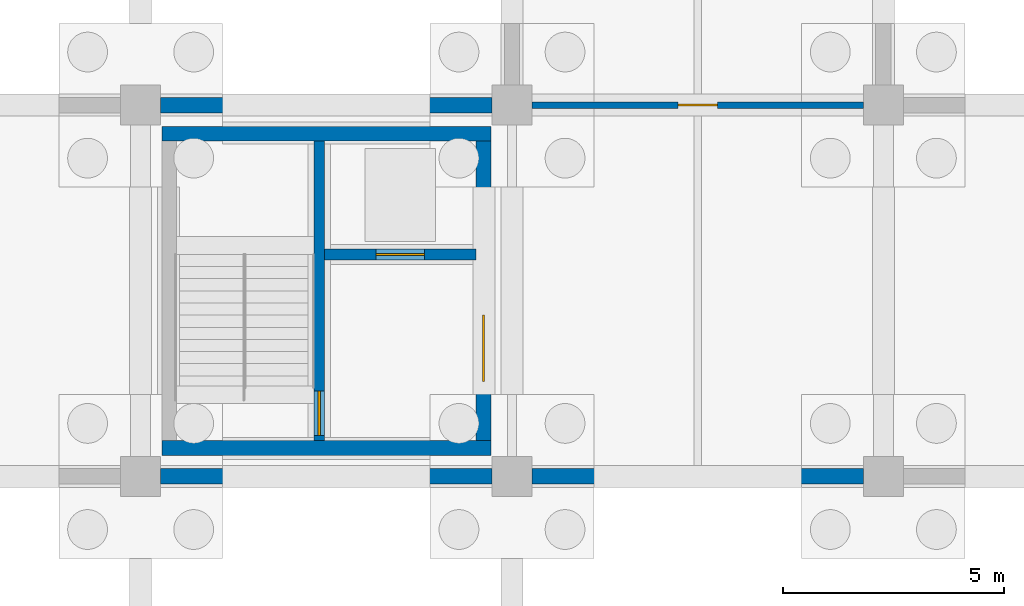
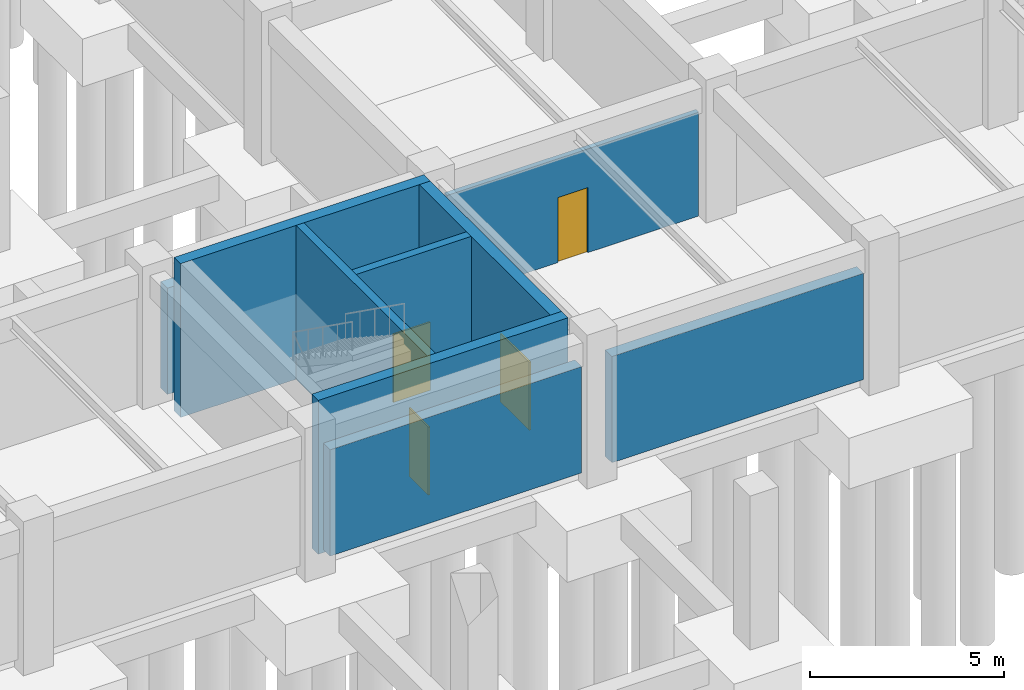
# One storey, part 20 of 29: 9 walls, 4 doors, 4 openings.
"""IFC4 building model written with IfcOpenShell, lengths in metres."""

from ifc_helpers import new_model, si_unit, direction, frame, frame_2d, origin, place, context, subcontext, project, spatial, rectangle, extrude, material, layer, layer_set, type_object, element, fill, save


model = new_model("IFC4")

# Units and contexts
model_context = context("Model", 3, precision=1e-05, world=origin(), true_north=direction((0.0, 1.0)))
body_context = subcontext(model_context, "Body", "Model", "MODEL_VIEW")
ifc_project = project(units=[si_unit("LENGTHUNIT", "METRE"), si_unit("AREAUNIT", "SQUARE_METRE"), si_unit("VOLUMEUNIT", "CUBIC_METRE"), si_unit("PLANEANGLEUNIT", "RADIAN"), si_unit("MASSUNIT", "GRAM", prefix="KILO")], contexts=[model_context])

# Site, building, storey
site_placement = place(None, origin())
site = spatial("IfcSite", under=ifc_project, at=site_placement, CompositionType="ELEMENT")
building_placement = place(site_placement, origin())
building = spatial("IfcBuilding", under=site, at=building_placement, Name="Porcellanite Civic Hall", CompositionType="ELEMENT")
storey_placement = place(building_placement, frame((0.0, 0.0, -4.5)))
storey = spatial("IfcBuildingStorey", under=building, at=storey_placement, Name="B1", CompositionType="ELEMENT", Elevation=-4.5)

# Wall, opening, door
ifc_material_1 = material(Name="Concrete N40 (40 MPa)", Category="concrete")
ifc_layer_1 = layer(ifc_material_1, 0.239990234375)
ifc_layer_set_1 = layer_set([ifc_layer_1], Name="Concrete N40 (40 MPa)")
wall_type_1 = type_object("IfcWallType", Name="CW-SH240", PredefinedType="SHEAR", material=ifc_layer_set_1)
wall_1_placement = place(storey_placement, frame((113.239990234375, 51.2099609375, -0.35009765625), z_axis=(0.0, 0.0, 1.0), x_axis=(0.0, 1.0, 0.0)))
wall_1 = element("IfcWall", 1, at=wall_1_placement, inside=storey, type_object=wall_type_1, Name="Core divider C6 B1", PredefinedType="SHEAR", context=body_context, shape_type="SweptSolid", body=[
    extrude(rectangle(XDim=6.780029296875, YDim=0.239990234375, at=frame_2d((3.39013671875, 0.0))), origin(), (0.0, 0.0, 1.0), 4.85009765625),
])
opening_1_placement = place(wall_1_placement, frame((0.1201171875, 0.0, 0.35009765625)))
opening_1 = element("IfcOpeningElement", 2, at=opening_1_placement, cuts=wall_1, Name="Opening FD-C6-B1-ST", PredefinedType="OPENING", context=body_context, shape_type="SweptSolid", body=[
    extrude(rectangle(XDim=1.0, YDim=2.14990234375, at=frame_2d((0.5, 1.074951171875))), frame((0.0, 0.1201171875, 0.0), z_axis=(0.0, -1.0, 0.0), x_axis=(1.0, 0.0, 0.0)), (0.0, 0.0, 1.0), 0.239990234375),
])
ifc_material_2 = material(Name="Fire-rated solid-core hardwood timber", Category="wood")
door_type_1 = type_object("IfcDoorType", Name="DR-FD100", OperationType="NOTDEFINED", PredefinedType="DOOR", material=ifc_material_2)
door_1_placement = place(opening_1_placement, origin())
door_1 = element("IfcDoor", 3, at=door_1_placement, inside=storey, type_object=door_type_1, Name="Fire stair door FD-C6-B1-ST", OperationType="SINGLE_SWING_LEFT", OverallHeight=2.14990234375, OverallWidth=1.0, PredefinedType="DOOR", context=body_context, shape_type="SweptSolid", body=[
    extrude(rectangle(XDim=1.0, YDim=2.14990234375, at=frame_2d((0.5, 1.074951171875))), frame((0.0, 0.02490234375, 0.0), z_axis=(0.0, -1.0, 0.0), x_axis=(1.0, 0.0, 0.0)), (0.0, 0.0, 1.0), 0.050048828125),
])
fill(opening_1, door_1)

wall_2_placement = place(storey_placement, frame((113.360107421875, 55.419921875, -0.35009765625), z_axis=(0.0, 0.0, 1.0), x_axis=(1.0, 0.0, 0.0)))
wall_2 = element("IfcWall", 4, at=wall_2_placement, inside=storey, type_object=wall_type_1, Name="Lift shaft wall C6 B1", PredefinedType="SHEAR", context=body_context, shape_type="SweptSolid", body=[
    extrude(rectangle(XDim=3.429931640625, YDim=0.239990234375, at=frame_2d((1.71484375, 0.0))), origin(), (0.0, 0.0, 1.0), 4.85009765625),
])
opening_2_placement = place(wall_2_placement, frame((1.1650390625, 0.0, 0.35009765625)))
opening_2 = element("IfcOpeningElement", 5, at=opening_2_placement, cuts=wall_2, Name="Opening LD-06", PredefinedType="OPENING", context=body_context, shape_type="SweptSolid", body=[
    extrude(rectangle(XDim=1.10009765625, YDim=2.14990234375, at=frame_2d((0.550048828125, 1.074951171875))), frame((0.0, 0.1201171875, 0.0), z_axis=(0.0, -1.0, 0.0), x_axis=(1.0, 0.0, 0.0)), (0.0, 0.0, 1.0), 0.239990234375),
])
ifc_material_3 = material(Name="Brushed stainless steel 316", Category="steel")
door_type_2 = type_object("IfcDoorType", Name="DR-LD110", OperationType="DOUBLE_DOOR_SLIDING", PredefinedType="DOOR", material=ifc_material_3)
door_2_placement = place(opening_2_placement, origin())
door_2 = element("IfcDoor", 6, at=door_2_placement, inside=storey, type_object=door_type_2, Name="Lift landing sliding door LD-06 B1", OperationType="DOUBLE_DOOR_SLIDING", OverallHeight=2.14990234375, OverallWidth=1.10009765625, PredefinedType="DOOR", context=body_context, shape_type="SweptSolid", body=[
    extrude(rectangle(XDim=1.10009765625, YDim=2.14990234375, at=frame_2d((0.550048828125, 1.074951171875))), frame((0.0, 0.02490234375, 0.0), z_axis=(0.0, -1.0, 0.0), x_axis=(1.0, 0.0, 0.0)), (0.0, 0.0, 1.0), 0.050048828125),
])
fill(opening_2, door_2)

# Walls
ifc_material_4 = material(Name="Concrete N40 (40 MPa)", Category="concrete")
ifc_layer_2 = layer(ifc_material_4, 0.330078125)
ifc_layer_set_2 = layer_set([ifc_layer_2], Name="Concrete N40 (40 MPa)")
wall_type_2 = type_object("IfcWallType", Name="CW-SH330", PredefinedType="SHEAR", material=ifc_layer_set_2)
for number, where, z_axis, x_axis, name in (
    (7, (117.1201171875, 51.044921875, -0.35009765625), (0.0, 0.0, 1.0), (-1.0, 0.0, 0.0), "Core wall C6 B1 S"),
    (8, (109.679931640625, 58.155029296875, -0.35009765625), (0.0, 0.0, 1.0), (1.0, 0.0, 0.0), "Core wall C6 B1 N"),
):
    element("IfcWall", number, at=place(storey_placement, frame(where, z_axis=z_axis, x_axis=x_axis)), inside=storey, type_object=wall_type_2, Name=name, PredefinedType="SHEAR", context=body_context, shape_type="SweptSolid", body=[
        extrude(rectangle(XDim=7.440185546875, YDim=0.330078125, at=frame_2d((3.72021484375, 0.0))), origin(), (0.0, 0.0, 1.0), 4.85009765625),
    ])

# Wall, opening, door
wall_3_placement = place(storey_placement, frame((116.955078125, 57.989990234375, -0.35009765625), z_axis=(0.0, 0.0, 1.0), x_axis=(0.0, -1.0, 0.0)))
wall_3 = element("IfcWall", 9, at=wall_3_placement, inside=storey, type_object=wall_type_2, Name="Core wall C6 B1 E", PredefinedType="SHEAR", context=body_context, shape_type="SweptSolid", body=[
    extrude(rectangle(XDim=6.780029296875, YDim=0.330078125, at=frame_2d((3.39013671875, 0.0))), origin(), (0.0, 0.0, 1.0), 4.85009765625),
])
opening_3_placement = place(wall_3_placement, frame((3.93994140625, 0.0, 0.35009765625)))
opening_3 = element("IfcOpeningElement", 10, at=opening_3_placement, cuts=wall_3, Name="Opening FD-C6-B1-LB", PredefinedType="OPENING", context=body_context, shape_type="SweptSolid", body=[
    extrude(rectangle(XDim=1.5, YDim=2.14990234375, at=frame_2d((0.75, 1.074951171875))), frame((0.0, 0.1650390625, 0.0), z_axis=(0.0, -1.0, 0.0), x_axis=(1.0, 0.0, 0.0)), (0.0, 0.0, 1.0), 0.330078125),
])
ifc_material_5 = material(Name="Fire-rated steel and Georgian wired glass", Category="steel")
door_type_3 = type_object("IfcDoorType", Name="DR-FD150", OperationType="DOUBLE_DOOR_SINGLE_SWING", PredefinedType="DOOR", material=ifc_material_5)
door_3_placement = place(opening_3_placement, origin())
door_3 = element("IfcDoor", 11, at=door_3_placement, inside=storey, type_object=door_type_3, Name="Fire lobby double door FD-C6-B1-LB", OperationType="DOUBLE_DOOR_SINGLE_SWING", OverallHeight=2.14990234375, OverallWidth=1.5, PredefinedType="DOOR", context=body_context, shape_type="SweptSolid", body=[
    extrude(rectangle(XDim=1.5, YDim=2.14990234375, at=frame_2d((0.75, 1.074951171875))), frame((0.0, 0.02490234375, 0.0), z_axis=(0.0, -1.0, 0.0), x_axis=(1.0, 0.0, 0.0)), (0.0, 0.0, 1.0), 0.050048828125),
])
fill(opening_3, door_3)

# Walls
ifc_material_6 = material(Name="Concrete N40 (40 MPa)", Category="concrete")
ifc_layer_3 = layer(ifc_material_6, 0.35009765625)
ifc_layer_set_3 = layer_set([ifc_layer_3], Name="Concrete N40 (40 MPa)")
wall_type_3 = type_object("IfcWallType", Name="EW-BSM350", PredefinedType="SOLIDWALL", material=ifc_layer_set_3)
for number, where, z_axis, x_axis, name in (
    (12, (117.14892578125, 50.39990234375, 0.0), (0.0, 0.0, 1.0), (-1.0, 0.0, 0.0), "Exterior wall B1 S 14-7"),
    (13, (109.65087890625, 58.800048828125, 0.0), (0.0, 0.0, 1.0), (1.0, 0.0, 0.0), "Exterior wall B1 N 14-7"),
    (14, (125.549072265625, 50.39990234375, 0.0), (0.0, 0.0, 1.0), (-1.0, 0.0, 0.0), "Exterior wall B1 S 15-7"),
):
    element("IfcWall", number, at=place(storey_placement, frame(where, z_axis=z_axis, x_axis=x_axis)), inside=storey, type_object=wall_type_3, Name=name, PredefinedType="SOLIDWALL", context=body_context, shape_type="SweptSolid", body=[
        extrude(rectangle(XDim=7.498046875, YDim=0.35009765625, at=frame_2d((3.7490234375, 0.0))), origin(), (0.0, 0.0, 1.0), 3.35009765625),
    ])

# Wall, opening, door
ifc_material_7 = material(Name="Fire-rated plasterboard on light-gauge steel studs", Category="steel")
ifc_layer_4 = layer(ifc_material_7, 0.14794921875)
ifc_layer_set_4 = layer_set([ifc_layer_4], Name="Fire-rated plasterboard on light-gauge steel studs")
wall_type_4 = type_object("IfcWallType", Name="IW-FR148", PredefinedType="PARTITIONING", material=ifc_layer_set_4)
wall_4_placement = place(storey_placement, frame((118.052001953125, 58.800048828125, 0.0), z_axis=(0.0, 0.0, 1.0), x_axis=(1.0, 0.0, 0.0)))
wall_4 = element("IfcWall", 15, at=wall_4_placement, inside=storey, type_object=wall_type_4, Name="Fire compartment wall B1 H 15-7", PredefinedType="PARTITIONING", context=body_context, shape_type="SweptSolid", body=[
    extrude(rectangle(XDim=7.49609375, YDim=0.14794921875, at=frame_2d((3.748046875, 0.0))), origin(), (0.0, 0.0, 1.0), 3.27001953125),
])
opening_4_placement = place(wall_4_placement, frame((3.298095703125, 0.0, 0.0)))
opening_4 = element("IfcOpeningElement", 16, at=opening_4_placement, cuts=wall_4, Name="Opening D-B1-012", PredefinedType="OPENING", context=body_context, shape_type="SweptSolid", body=[
    extrude(rectangle(XDim=0.89990234375, YDim=2.050048828125, at=frame_2d((0.449951171875, 1.02490234375))), frame((0.0, 0.073974609375, 0.0), z_axis=(0.0, -1.0, 0.0), x_axis=(1.0, 0.0, 0.0)), (0.0, 0.0, 1.0), 0.14794921875),
])
ifc_material_8 = material(Name="Fire-rated steel riser access leaf", Category="steel")
door_type_4 = type_object("IfcDoorType", Name="DR-FD090", OperationType="NOTDEFINED", PredefinedType="DOOR", material=ifc_material_8)
door_4_placement = place(opening_4_placement, origin())
door_4 = element("IfcDoor", 17, at=door_4_placement, inside=storey, type_object=door_type_4, Name="Interior door D-B1-012", OperationType="SINGLE_SWING_RIGHT", OverallHeight=2.050048828125, OverallWidth=0.89990234375, PredefinedType="DOOR", context=body_context, shape_type="SweptSolid", body=[
    extrude(rectangle(XDim=0.89990234375, YDim=2.050048828125, at=frame_2d((0.449951171875, 1.02490234375))), frame((0.0, 0.02490234375, 0.0), z_axis=(0.0, -1.0, 0.0), x_axis=(1.0, 0.0, 0.0)), (0.0, 0.0, 1.0), 0.050048828125),
])
fill(opening_4, door_4)

save(model, "model.ifc")
